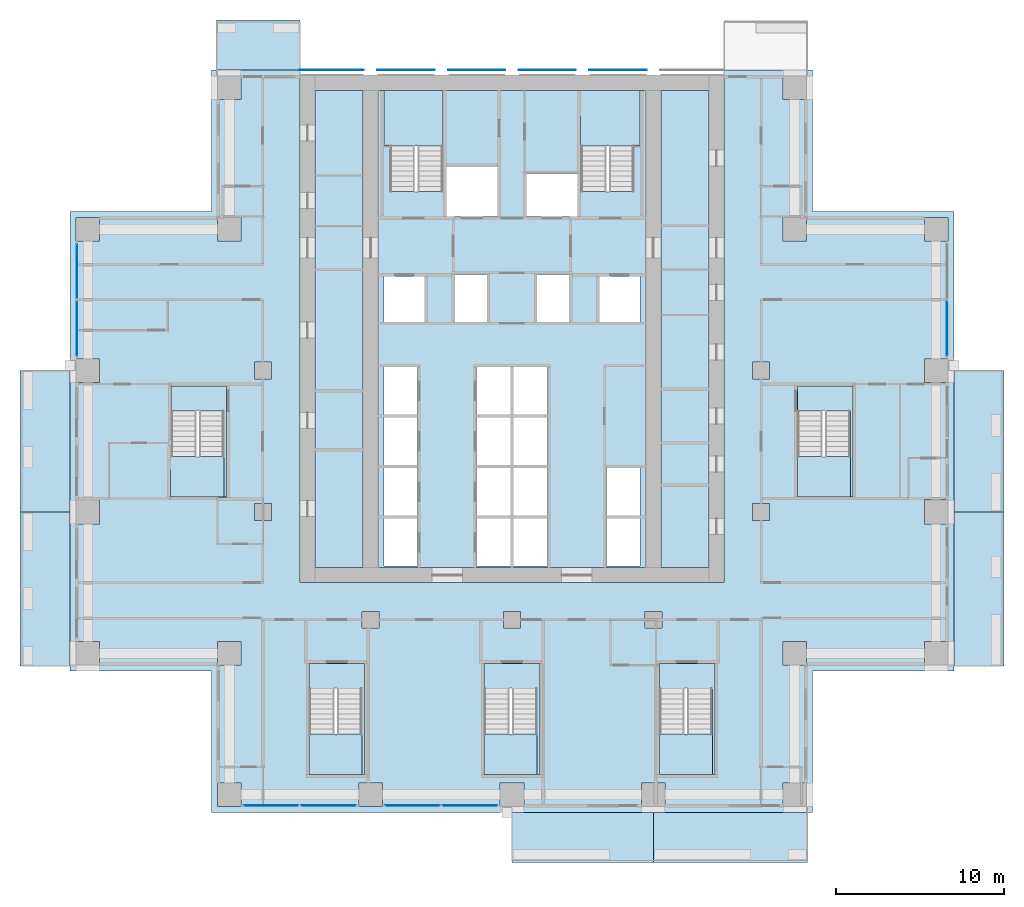
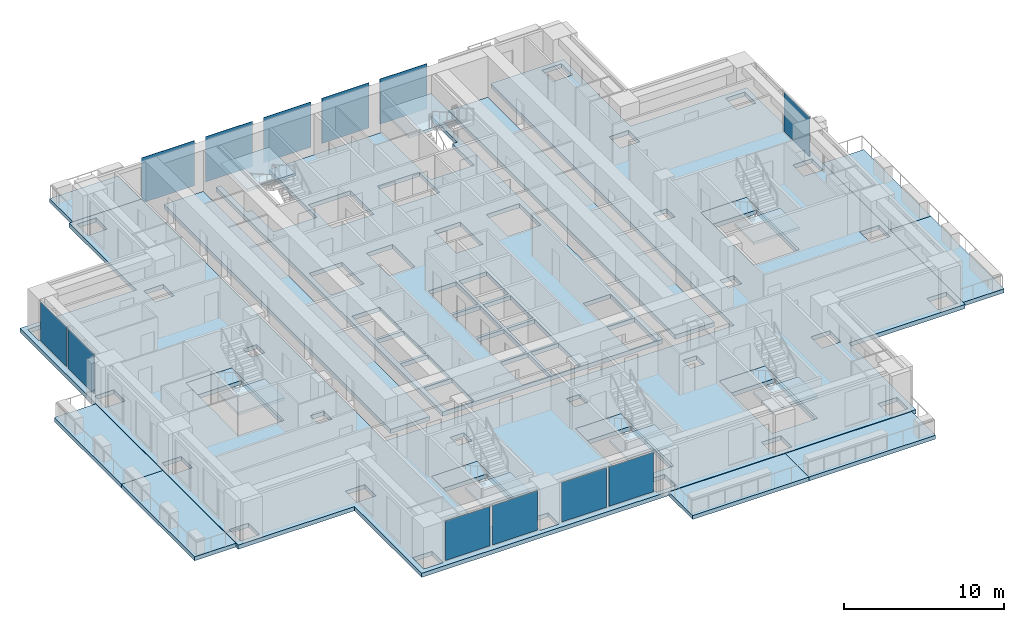
# One storey, part 7 of 17: 23 slabs, 12 plates, 11 elements without a shape of their own.
"""IFC4 building model written with IfcOpenShell, lengths in metres."""

from ifc_helpers import new_model, si_unit, direction, frame, origin, origin_2d, place, context, subcontext, project, spatial, polyline, rectangle, outline, extrude, material, layer, layer_set, type_object, element, aggregate, save


model = new_model("IFC4")

# Units and contexts
model_context = context("Model", 3, precision=1e-05, world=origin(), true_north=direction((0.0, 1.0)))
body_context = subcontext(model_context, "Body", "Model", "MODEL_VIEW")
ifc_project = project(units=[si_unit("LENGTHUNIT", "METRE"), si_unit("AREAUNIT", "SQUARE_METRE"), si_unit("VOLUMEUNIT", "CUBIC_METRE"), si_unit("PLANEANGLEUNIT", "RADIAN"), si_unit("MASSUNIT", "GRAM", prefix="KILO")], contexts=[model_context])

# Site, building, storey
site_placement = place(None, origin())
site = spatial("IfcSite", under=ifc_project, at=site_placement, CompositionType="ELEMENT")
building_placement = place(site_placement, origin())
building = spatial("IfcBuilding", under=site, at=building_placement, Name="Vermilion Ogive Tower", CompositionType="ELEMENT")
storey_placement = place(building_placement, frame((0.0, 0.0, 51.75)))
storey = spatial("IfcBuildingStorey", under=building, at=storey_placement, Name="L11", CompositionType="ELEMENT", Elevation=51.75)

# Slabs
ifc_material_1 = material(Name="Concrete B40", Category="concrete")
ifc_layer_1 = layer(ifc_material_1, 0.300048828125)
ifc_layer_set_1 = layer_set([ifc_layer_1], Name="Balcony slab")
slab_type_1 = type_object("IfcSlabType", Name="Balcony slab", PredefinedType="FLOOR", material=ifc_layer_set_1)
slab_1_placement = place(storey_placement, frame((0.0, 0.0, -0.340087890625)))
element("IfcSlab", 1, at=slab_1_placement, inside=storey, type_object=slab_type_1, Name="Balcony slab S03", PredefinedType="FLOOR", context=body_context, shape_type="SweptSolid", body=[
    extrude(outline(polyline([(0.0, -25.030029296875), (8.39990234375, -25.030029296875), (8.39990234375, -22.050048828125), (0.0, -22.050048828125), (0.0, -25.030029296875)])), origin(), (0.0, 0.0, 1.0), 0.300048828125),
])
slab_2_placement = place(storey_placement, frame((0.0, 0.0, -0.340087890625)))
element("IfcSlab", 2, at=slab_2_placement, inside=storey, type_object=slab_type_1, Name="Balcony slab S04", PredefinedType="FLOOR", context=body_context, shape_type="SweptSolid", body=[
    extrude(outline(polyline([(8.39990234375, -25.030029296875), (17.550048828125, -25.030029296875), (17.550048828125, -22.050048828125), (8.39990234375, -22.050048828125), (8.39990234375, -25.030029296875)])), origin(), (0.0, 0.0, 1.0), 0.300048828125),
])
slab_3_placement = place(storey_placement, frame((0.0, 0.0, -0.340087890625)))
element("IfcSlab", 3, at=slab_3_placement, inside=storey, type_object=slab_type_1, Name="Balcony slab E01", PredefinedType="FLOOR", context=body_context, shape_type="SweptSolid", body=[
    extrude(outline(polyline([(29.22998046875, -13.35009765625), (29.22998046875, -4.199951171875), (26.25, -4.199951171875), (26.25, -13.35009765625), (29.22998046875, -13.35009765625)])), origin(), (0.0, 0.0, 1.0), 0.300048828125),
])
slab_4_placement = place(storey_placement, frame((0.0, 0.0, -0.340087890625)))
element("IfcSlab", 4, at=slab_4_placement, inside=storey, type_object=slab_type_1, Name="Balcony slab E02", PredefinedType="FLOOR", context=body_context, shape_type="SweptSolid", body=[
    extrude(outline(polyline([(29.22998046875, -4.199951171875), (29.22998046875, 4.199951171875), (26.25, 4.199951171875), (26.25, -4.199951171875), (29.22998046875, -4.199951171875)])), origin(), (0.0, 0.0, 1.0), 0.300048828125),
])
slab_5_placement = place(storey_placement, frame((0.0, 0.0, -0.340087890625)))
element("IfcSlab", 5, at=slab_5_placement, inside=storey, type_object=slab_type_1, Name="Balcony slab N201", PredefinedType="FLOOR", context=body_context, shape_type="SweptSolid", body=[
    extrude(outline(polyline([(-12.60009765625, 25.030029296875), (-17.550048828125, 25.030029296875), (-17.550048828125, 22.050048828125), (-12.60009765625, 22.050048828125), (-12.60009765625, 25.030029296875)])), origin(), (0.0, 0.0, 1.0), 0.300048828125),
])
slab_6_placement = place(storey_placement, frame((0.0, 0.0, -0.340087890625)))
element("IfcSlab", 6, at=slab_6_placement, inside=storey, type_object=slab_type_1, Name="Balcony slab W02", PredefinedType="FLOOR", context=body_context, shape_type="SweptSolid", body=[
    extrude(outline(polyline([(-29.22998046875, 4.199951171875), (-29.22998046875, -4.199951171875), (-26.25, -4.199951171875), (-26.25, 4.199951171875), (-29.22998046875, 4.199951171875)])), origin(), (0.0, 0.0, 1.0), 0.300048828125),
])
slab_7_placement = place(storey_placement, frame((0.0, 0.0, -0.340087890625)))
element("IfcSlab", 7, at=slab_7_placement, inside=storey, type_object=slab_type_1, Name="Balcony slab W03", PredefinedType="FLOOR", context=body_context, shape_type="SweptSolid", body=[
    extrude(outline(polyline([(-29.22998046875, -4.199951171875), (-29.22998046875, -13.35009765625), (-26.25, -13.35009765625), (-26.25, -4.199951171875), (-29.22998046875, -4.199951171875)])), origin(), (0.0, 0.0, 1.0), 0.300048828125),
])

# Curtain wall, plates
ifc_material_2 = material(Name="Low-iron laminated glazing in aluminium frame", Category="aluminium")
curtain_wall_type = type_object("IfcCurtainWallType", Name="Curtain wall CW7", PredefinedType="NOTDEFINED", material=ifc_material_2)
curtain_wall_1_placement = place(storey_placement, origin())
curtain_wall_1 = element("IfcCurtainWall", 8, at=curtain_wall_1_placement, inside=storey, type_object=curtain_wall_type, Name="Glazed skin S1", PredefinedType="NOTDEFINED")
ifc_material_3 = material(Name="Low-iron laminated glazing in aluminium frame", Category="aluminium")
ifc_layer_2 = layer(ifc_material_3, 0.031982421875)
ifc_layer_set_2 = layer_set([ifc_layer_2], Name="CW7 glazing panel 32")
plate_type_1 = type_object("IfcPlateType", Name="CW7 glazing panel 32", PredefinedType="CURTAIN_PANEL", material=ifc_layer_set_2)
plate_1_placement = place(storey_placement, frame((-14.304931640625, -21.64990234375, 0.06005859375), z_axis=(0.0, 0.0, 1.0), x_axis=(1.0, 0.0, 0.0)))
plate_1 = element("IfcPlate", 9, at=plate_1_placement, type_object=plate_type_1, Name="CW7-S1 panel 1.1", PredefinedType="CURTAIN_PANEL", context=body_context, shape_type="SweptSolid", body=[
    extrude(rectangle(XDim=3.22998046875, YDim=0.031982421875, at=origin_2d()), origin(), (0.0, 0.0, 1.0), 3.010009765625),
])
plate_2_placement = place(storey_placement, frame((-10.89501953125, -21.64990234375, 0.06005859375), z_axis=(0.0, 0.0, 1.0), x_axis=(1.0, 0.0, 0.0)))
plate_2 = element("IfcPlate", 10, at=plate_2_placement, type_object=plate_type_1, Name="CW7-S1 panel 2.1", PredefinedType="CURTAIN_PANEL", context=body_context, shape_type="SweptSolid", body=[
    extrude(rectangle(XDim=3.22998046875, YDim=0.031982421875, at=origin_2d()), origin(), (0.0, 0.0, 1.0), 3.010009765625),
])
aggregate(curtain_wall_1, [plate_1, plate_2])

curtain_wall_2_placement = place(storey_placement, origin())
curtain_wall_2 = element("IfcCurtainWall", 11, at=curtain_wall_2_placement, inside=storey, type_object=curtain_wall_type, Name="Glazed skin S2", PredefinedType="NOTDEFINED")
plate_3_placement = place(storey_placement, frame((-5.905029296875, -21.64990234375, 0.06005859375), z_axis=(0.0, 0.0, 1.0), x_axis=(1.0, 0.0, 0.0)))
plate_3 = element("IfcPlate", 12, at=plate_3_placement, type_object=plate_type_1, Name="CW7-S2 panel 1.1", PredefinedType="CURTAIN_PANEL", context=body_context, shape_type="SweptSolid", body=[
    extrude(rectangle(XDim=3.22998046875, YDim=0.031982421875, at=origin_2d()), origin(), (0.0, 0.0, 1.0), 3.010009765625),
])
plate_4_placement = place(storey_placement, frame((-2.4951171875, -21.64990234375, 0.06005859375), z_axis=(0.0, 0.0, 1.0), x_axis=(1.0, 0.0, 0.0)))
plate_4 = element("IfcPlate", 13, at=plate_4_placement, type_object=plate_type_1, Name="CW7-S2 panel 2.1", PredefinedType="CURTAIN_PANEL", context=body_context, shape_type="SweptSolid", body=[
    extrude(rectangle(XDim=3.22998046875, YDim=0.031982421875, at=origin_2d()), origin(), (0.0, 0.0, 1.0), 3.010009765625),
])
aggregate(curtain_wall_2, [plate_3, plate_4])

# Curtain wall, plate
curtain_wall_3_placement = place(storey_placement, origin())
curtain_wall_3 = element("IfcCurtainWall", 14, at=curtain_wall_3_placement, inside=storey, type_object=curtain_wall_type, Name="Glazed skin E3", PredefinedType="NOTDEFINED")
plate_5_placement = place(storey_placement, frame((25.85009765625, 6.695068359375, 0.06005859375), z_axis=(0.0, 0.0, 1.0), x_axis=(0.0, 1.0, 0.0)))
plate_5 = element("IfcPlate", 15, at=plate_5_placement, type_object=plate_type_1, Name="CW7-E3 panel 1.1", PredefinedType="CURTAIN_PANEL", context=body_context, shape_type="SweptSolid", body=[
    extrude(rectangle(XDim=3.22998046875, YDim=0.031982421875, at=origin_2d()), origin(), (0.0, 0.0, 1.0), 3.010009765625),
])
aggregate(curtain_wall_3, [plate_5])

# Curtain wall, plates
curtain_wall_4_placement = place(storey_placement, origin())
curtain_wall_4 = element("IfcCurtainWall", 16, at=curtain_wall_4_placement, inside=storey, type_object=curtain_wall_type, Name="Glazed skin W1", PredefinedType="NOTDEFINED")
plate_6_placement = place(storey_placement, frame((-25.85009765625, 10.10498046875, 0.06005859375), z_axis=(0.0, 0.0, 1.0), x_axis=(0.0, -1.0, 0.0)))
plate_6 = element("IfcPlate", 17, at=plate_6_placement, type_object=plate_type_1, Name="CW7-W1 panel 1.1", PredefinedType="CURTAIN_PANEL", context=body_context, shape_type="SweptSolid", body=[
    extrude(rectangle(XDim=3.22998046875, YDim=0.031982421875, at=origin_2d()), origin(), (0.0, 0.0, 1.0), 3.010009765625),
])
plate_7_placement = place(storey_placement, frame((-25.85009765625, 6.695068359375, 0.06005859375), z_axis=(0.0, 0.0, 1.0), x_axis=(0.0, -1.0, 0.0)))
plate_7 = element("IfcPlate", 18, at=plate_7_placement, type_object=plate_type_1, Name="CW7-W1 panel 2.1", PredefinedType="CURTAIN_PANEL", context=body_context, shape_type="SweptSolid", body=[
    extrude(rectangle(XDim=3.22998046875, YDim=0.031982421875, at=origin_2d()), origin(), (0.0, 0.0, 1.0), 3.010009765625),
])
aggregate(curtain_wall_4, [plate_6, plate_7])

# Slabs
ifc_material_4 = material(Name="Concrete B40", Category="concrete")
ifc_layer_3 = layer(ifc_material_4, 0.320068359375)
ifc_layer_set_3 = layer_set([ifc_layer_3], Name="Core floor slab 320 B40")
slab_type_2 = type_object("IfcSlabType", Name="Core floor slab 320 B40", PredefinedType="FLOOR", material=ifc_layer_set_3)
slab_8_placement = place(storey_placement, frame((0.0, 0.0, -0.320068359375)))
element("IfcSlab", 19, at=slab_8_placement, inside=storey, type_object=slab_type_2, Name="L11-CK-FS1", PredefinedType="FLOOR", context=body_context, shape_type="SweptSolid", body=[
    extrude(outline(polyline([(-8.85400390625, -7.49609375), (-11.696044921875, -7.49609375), (-11.696044921875, 20.845947265625), (-8.85400390625, 20.845947265625), (-8.85400390625, -7.49609375)])), origin(), (0.0, 0.0, 1.0), 0.320068359375),
])
slab_9_placement = place(storey_placement, frame((0.0, 0.0, -0.320068359375)))
element("IfcSlab", 20, at=slab_9_placement, inside=storey, type_object=slab_type_2, Name="L11-CK-FS2", PredefinedType="FLOOR", context=body_context, shape_type="SweptSolid", body=[
    extrude(outline(polyline([(5.75, 14.85009765625), (5.60009765625, 14.85009765625), (5.60009765625, 14.85205078125), (4.10009765625, 14.85205078125), (4.10009765625, 17.550048828125), (4.074951171875, 17.550048828125), (4.074951171875, 20.845947265625), (-4.10009765625, 20.845947265625), (-4.10009765625, 14.85205078125), (-5.60009765625, 14.85205078125), (-5.60009765625, 14.85009765625), (-5.75, 14.85009765625), (-5.75, 14.85205078125), (-7.25, 14.85205078125), (-7.25, 17.550048828125), (-7.60009765625, 17.550048828125), (-7.60009765625, 20.845947265625), (-7.946044921875, 20.845947265625), (-7.946044921875, -7.49609375), (7.946044921875, -7.49609375), (7.946044921875, 20.845947265625), (7.60009765625, 20.845947265625), (7.60009765625, 17.550048828125), (7.25, 17.550048828125), (7.25, 14.85205078125), (5.75, 14.85205078125), (5.75, 14.85009765625)]), holes=[polyline([(-7.60009765625, -4.60009765625), (-5.60009765625, -4.60009765625), (-5.60009765625, -7.39990234375), (-7.60009765625, -7.39990234375), (-7.60009765625, -4.60009765625)]), polyline([(-2.10009765625, -4.60009765625), (-0.10009765625, -4.60009765625), (-0.10009765625, -7.39990234375), (-2.10009765625, -7.39990234375), (-2.10009765625, -4.60009765625)]), polyline([(-7.60009765625, -4.39990234375), (-7.60009765625, -1.60009765625), (-5.60009765625, -1.60009765625), (-5.60009765625, -4.39990234375), (-7.60009765625, -4.39990234375)]), polyline([(-2.10009765625, -1.60009765625), (-0.10009765625, -1.60009765625), (-0.10009765625, -4.39990234375), (-2.10009765625, -4.39990234375), (-2.10009765625, -1.60009765625)]), polyline([(-7.60009765625, -1.39990234375), (-7.60009765625, 1.39990234375), (-5.60009765625, 1.39990234375), (-5.60009765625, -1.39990234375), (-7.60009765625, -1.39990234375)]), polyline([(-2.10009765625, 1.39990234375), (-0.10009765625, 1.39990234375), (-0.10009765625, -1.39990234375), (-2.10009765625, -1.39990234375), (-2.10009765625, 1.39990234375)]), polyline([(-7.60009765625, 4.39990234375), (-5.60009765625, 4.39990234375), (-5.60009765625, 1.60009765625), (-7.60009765625, 1.60009765625), (-7.60009765625, 4.39990234375)]), polyline([(-2.10009765625, 4.39990234375), (-0.10009765625, 4.39990234375), (-0.10009765625, 1.60009765625), (-2.10009765625, 1.60009765625), (-2.10009765625, 4.39990234375)]), polyline([(-7.60009765625, 9.800048828125), (-5.199951171875, 9.800048828125), (-5.199951171875, 7.10009765625), (-7.60009765625, 7.10009765625), (-7.60009765625, 9.800048828125)]), polyline([(-3.39990234375, 9.89990234375), (-1.5, 9.89990234375), (-1.5, 7.10009765625), (-3.39990234375, 7.10009765625), (-3.39990234375, 9.89990234375)]), polyline([(-3.89990234375, 16.300048828125), (-0.85009765625, 16.300048828125), (-0.85009765625, 13.35009765625), (-3.89990234375, 13.35009765625), (-3.89990234375, 16.300048828125)]), polyline([(0.10009765625, -4.60009765625), (2.10009765625, -4.60009765625), (2.10009765625, -7.39990234375), (0.10009765625, -7.39990234375), (0.10009765625, -4.60009765625)]), polyline([(5.60009765625, -4.60009765625), (7.60009765625, -4.60009765625), (7.60009765625, -7.39990234375), (5.60009765625, -7.39990234375), (5.60009765625, -4.60009765625)]), polyline([(0.10009765625, -1.60009765625), (2.10009765625, -1.60009765625), (2.10009765625, -4.39990234375), (0.10009765625, -4.39990234375), (0.10009765625, -1.60009765625)]), polyline([(5.60009765625, -1.60009765625), (7.60009765625, -1.60009765625), (7.60009765625, -4.39990234375), (5.60009765625, -4.39990234375), (5.60009765625, -1.60009765625)]), polyline([(0.10009765625, 1.39990234375), (2.10009765625, 1.39990234375), (2.10009765625, -1.39990234375), (0.10009765625, -1.39990234375), (0.10009765625, 1.39990234375)]), polyline([(0.10009765625, 4.39990234375), (2.10009765625, 4.39990234375), (2.10009765625, 1.60009765625), (0.10009765625, 1.60009765625), (0.10009765625, 4.39990234375)]), polyline([(5.199951171875, 9.800048828125), (7.60009765625, 9.800048828125), (7.60009765625, 7.10009765625), (5.199951171875, 7.10009765625), (5.199951171875, 9.800048828125)]), polyline([(1.5, 9.89990234375), (3.39990234375, 9.89990234375), (3.39990234375, 7.10009765625), (1.5, 7.10009765625), (1.5, 9.89990234375)]), polyline([(0.85009765625, 15.89990234375), (3.89990234375, 15.89990234375), (3.89990234375, 13.35009765625), (0.85009765625, 13.35009765625), (0.85009765625, 15.89990234375)])]), origin(), (0.0, 0.0, 1.0), 0.320068359375),
])
slab_10_placement = place(storey_placement, frame((0.0, 0.0, -0.320068359375)))
element("IfcSlab", 21, at=slab_10_placement, inside=storey, type_object=slab_type_2, Name="L11-CK-FS3", PredefinedType="FLOOR", context=body_context, shape_type="SweptSolid", body=[
    extrude(outline(polyline([(8.85400390625, 20.845947265625), (11.696044921875, 20.845947265625), (11.696044921875, -7.49609375), (8.85400390625, -7.49609375), (8.85400390625, 20.845947265625)])), origin(), (0.0, 0.0, 1.0), 0.320068359375),
])
slab_11_placement = place(storey_placement, frame((0.0, 0.0, -0.320068359375)))
element("IfcSlab", 22, at=slab_11_placement, inside=storey, type_object=slab_type_2, Name="L11-SF-ST3-1", PredefinedType="FLOOR", context=body_context, shape_type="SweptSolid", body=[
    extrude(outline(polyline([(-12.050048828125, -13.199951171875), (-12.050048828125, -14.701904296875), (-10.550048828125, -14.701904296875), (-10.550048828125, -14.699951171875), (-10.39990234375, -14.699951171875), (-10.39990234375, -14.701904296875), (-8.89990234375, -14.701904296875), (-8.89990234375, -19.800048828125), (-8.75, -19.800048828125), (-8.75, -13.199951171875), (-12.050048828125, -13.199951171875)])), origin(), (0.0, 0.0, 1.0), 0.320068359375),
])
slab_12_placement = place(storey_placement, frame((0.0, 0.0, -0.320068359375)))
element("IfcSlab", 23, at=slab_12_placement, inside=storey, type_object=slab_type_2, Name="L11-SF-ST4-1", PredefinedType="FLOOR", context=body_context, shape_type="SweptSolid", body=[
    extrude(outline(polyline([(-1.64990234375, -13.199951171875), (-1.64990234375, -14.701904296875), (-0.14990234375, -14.701904296875), (-0.14990234375, -14.699951171875), (0.0, -14.699951171875), (0.0, -14.701904296875), (1.5, -14.701904296875), (1.5, -19.800048828125), (1.64990234375, -19.800048828125), (1.64990234375, -13.199951171875), (-1.64990234375, -13.199951171875)])), origin(), (0.0, 0.0, 1.0), 0.320068359375),
])
slab_13_placement = place(storey_placement, frame((0.0, 0.0, -0.320068359375)))
element("IfcSlab", 24, at=slab_13_placement, inside=storey, type_object=slab_type_2, Name="L11-SF-ST5-1", PredefinedType="FLOOR", context=body_context, shape_type="SweptSolid", body=[
    extrude(outline(polyline([(8.75, -13.199951171875), (8.75, -14.701904296875), (10.25, -14.701904296875), (10.25, -14.699951171875), (10.39990234375, -14.699951171875), (10.39990234375, -14.701904296875), (11.89990234375, -14.701904296875), (11.89990234375, -19.800048828125), (12.050048828125, -19.800048828125), (12.050048828125, -13.199951171875), (8.75, -13.199951171875)])), origin(), (0.0, 0.0, 1.0), 0.320068359375),
])
slab_14_placement = place(storey_placement, frame((0.0, 0.0, -0.320068359375)))
element("IfcSlab", 25, at=slab_14_placement, inside=storey, type_object=slab_type_2, Name="L11-SF-ST8-1", PredefinedType="FLOOR", context=body_context, shape_type="SweptSolid", body=[
    extrude(outline(polyline([(16.949951171875, 3.300048828125), (16.949951171875, 1.798095703125), (18.449951171875, 1.798095703125), (18.449951171875, 1.800048828125), (18.60009765625, 1.800048828125), (18.60009765625, 1.798095703125), (20.10009765625, 1.798095703125), (20.10009765625, -3.300048828125), (20.25, -3.300048828125), (20.25, 3.300048828125), (16.949951171875, 3.300048828125)])), origin(), (0.0, 0.0, 1.0), 0.320068359375),
])
slab_15_placement = place(storey_placement, frame((0.0, 0.0, -0.320068359375)))
element("IfcSlab", 26, at=slab_15_placement, inside=storey, type_object=slab_type_2, Name="L11-SF-ST9-1", PredefinedType="FLOOR", context=body_context, shape_type="SweptSolid", body=[
    extrude(outline(polyline([(-20.25, 3.300048828125), (-20.25, 1.798095703125), (-18.75, 1.798095703125), (-18.75, 1.800048828125), (-18.60009765625, 1.800048828125), (-18.60009765625, 1.798095703125), (-17.10009765625, 1.798095703125), (-17.10009765625, -3.300048828125), (-16.949951171875, -3.300048828125), (-16.949951171875, 3.300048828125), (-20.25, 3.300048828125)])), origin(), (0.0, 0.0, 1.0), 0.320068359375),
])

# Plates
ifc_material_5 = material(Name="Low-iron laminated glazing in aluminium frame", Category="aluminium")
ifc_layer_4 = layer(ifc_material_5, 0.031982421875)
ifc_layer_set_4 = layer_set([ifc_layer_4], Name="Glazed rainscreen sheet 32")
plate_type_2 = type_object("IfcPlateType", Name="Glazed rainscreen sheet 32", PredefinedType="SHEET", material=ifc_layer_set_4)
plate_8_placement = place(storey_placement, frame((-10.7099609375, 22.06591796875, -0.31982421875), z_axis=(0.0, 0.0, 1.0), x_axis=(1.0, 0.0, 0.0)))
element("IfcPlate", 27, at=plate_8_placement, inside=storey, type_object=plate_type_2, Name="Glazed rainscreen sheet N1", PredefinedType="SHEET", context=body_context, shape_type="SweptSolid", body=[
    extrude(rectangle(XDim=3.820068359375, YDim=0.031982421875, at=origin_2d()), origin(), (0.0, 0.0, 1.0), 3.449951171875),
])
for number, where, z_axis, x_axis, name in (
    (28, (-6.300048828125, 22.06591796875, -0.31982421875), (0.0, 0.0, 1.0), (1.0, 0.0, 0.0), "Glazed rainscreen sheet N2"),
    (29, (-2.10009765625, 22.06591796875, -0.31982421875), (0.0, 0.0, 1.0), (1.0, 0.0, 0.0), "Glazed rainscreen sheet N3"),
    (30, (2.10009765625, 22.06591796875, -0.31982421875), (0.0, 0.0, 1.0), (1.0, 0.0, 0.0), "Glazed rainscreen sheet N4"),
    (31, (6.300048828125, 22.06591796875, -0.31982421875), (0.0, 0.0, 1.0), (1.0, 0.0, 0.0), "Glazed rainscreen sheet N5"),
):
    element("IfcPlate", number, at=place(storey_placement, frame(where, z_axis=z_axis, x_axis=x_axis)), inside=storey, type_object=plate_type_2, Name=name, PredefinedType="SHEET", context=body_context, shape_type="SweptSolid", body=[
        extrude(rectangle(XDim=3.39990234375, YDim=0.031982421875, at=origin_2d()), origin(), (0.0, 0.0, 1.0), 3.449951171875),
    ])

# Slab
ifc_material_6 = material(Name="Concrete B45", Category="concrete")
ifc_layer_5 = layer(ifc_material_6, 0.320068359375)
ifc_layer_set_5 = layer_set([ifc_layer_5], Name="Post-tensioned flat plate 320 B45")
slab_type_3 = type_object("IfcSlabType", Name="Post-tensioned flat plate 320 B45", PredefinedType="FLOOR", material=ifc_layer_set_5)
slab_16_placement = place(storey_placement, frame((0.0, 0.0, -0.320068359375)))
element("IfcSlab", 32, at=slab_16_placement, inside=storey, type_object=slab_type_3, Name="L11-SL-1", PredefinedType="FLOOR", context=body_context, shape_type="SweptSolid", body=[
    extrude(outline(polyline([(-26.25, -13.64990234375), (-17.85009765625, -13.64990234375), (-17.85009765625, -22.050048828125), (17.85009765625, -22.050048828125), (17.85009765625, -13.64990234375), (26.25, -13.64990234375), (26.25, 13.64990234375), (17.85009765625, 13.64990234375), (17.85009765625, 22.050048828125), (12.60009765625, 22.050048828125), (12.60009765625, -8.39990234375), (-12.60009765625, -8.39990234375), (-12.60009765625, 22.050048828125), (-17.85009765625, 22.050048828125), (-17.85009765625, 13.64990234375), (-26.25, 13.64990234375), (-26.25, -13.64990234375)]), holes=[polyline([(25.89990234375, -3.5), (25.89990234375, -4.89990234375), (24.5, -4.89990234375), (24.5, -3.5), (25.89990234375, -3.5)]), polyline([(25.89990234375, -11.89990234375), (25.89990234375, -13.300048828125), (24.5, -13.300048828125), (24.5, -11.89990234375), (25.89990234375, -11.89990234375)]), polyline([(25.89990234375, 11.89990234375), (24.5, 11.89990234375), (24.5, 13.300048828125), (25.89990234375, 13.300048828125), (25.89990234375, 11.89990234375)]), polyline([(25.89990234375, 3.5), (24.5, 3.5), (24.5, 4.89990234375), (25.89990234375, 4.89990234375), (25.89990234375, 3.5)]), polyline([(20.25, 3.300048828125), (20.25, -3.300048828125), (16.949951171875, -3.300048828125), (16.949951171875, 3.300048828125), (20.25, 3.300048828125)]), polyline([(17.5, -11.89990234375), (17.5, -13.300048828125), (16.10009765625, -13.300048828125), (16.10009765625, -11.89990234375), (17.5, -11.89990234375)]), polyline([(17.5, 20.300048828125), (16.10009765625, 20.300048828125), (16.10009765625, 21.699951171875), (17.5, 21.699951171875), (17.5, 20.300048828125)]), polyline([(17.5, -20.300048828125), (17.5, -21.699951171875), (16.10009765625, -21.699951171875), (16.10009765625, -20.300048828125), (17.5, -20.300048828125)]), polyline([(17.5, 13.300048828125), (17.5, 11.89990234375), (16.10009765625, 11.89990234375), (16.10009765625, 13.300048828125), (17.5, 13.300048828125)]), polyline([(15.300048828125, 4.699951171875), (15.300048828125, 3.699951171875), (14.300048828125, 3.699951171875), (14.300048828125, 4.699951171875), (15.300048828125, 4.699951171875)]), polyline([(15.300048828125, -4.699951171875), (14.300048828125, -4.699951171875), (14.300048828125, -3.699951171875), (15.300048828125, -3.699951171875), (15.300048828125, -4.699951171875)]), polyline([(12.050048828125, -13.199951171875), (12.050048828125, -19.800048828125), (8.75, -19.800048828125), (8.75, -13.199951171875), (12.050048828125, -13.199951171875)]), polyline([(9.10009765625, -20.300048828125), (9.10009765625, -21.699951171875), (7.699951171875, -21.699951171875), (7.699951171875, -20.300048828125), (9.10009765625, -20.300048828125)]), polyline([(8.89990234375, -11.10009765625), (7.89990234375, -11.10009765625), (7.89990234375, -10.10009765625), (8.89990234375, -10.10009765625), (8.89990234375, -11.10009765625)]), polyline([(1.64990234375, -13.199951171875), (1.64990234375, -19.800048828125), (-1.64990234375, -19.800048828125), (-1.64990234375, -13.199951171875), (1.64990234375, -13.199951171875)]), polyline([(0.699951171875, -20.300048828125), (0.699951171875, -21.699951171875), (-0.699951171875, -21.699951171875), (-0.699951171875, -20.300048828125), (0.699951171875, -20.300048828125)]), polyline([(0.5, -10.10009765625), (0.5, -11.10009765625), (-0.5, -11.10009765625), (-0.5, -10.10009765625), (0.5, -10.10009765625)]), polyline([(-7.699951171875, -20.300048828125), (-7.699951171875, -21.699951171875), (-9.10009765625, -21.699951171875), (-9.10009765625, -20.300048828125), (-7.699951171875, -20.300048828125)]), polyline([(-7.89990234375, -10.10009765625), (-7.89990234375, -11.10009765625), (-8.89990234375, -11.10009765625), (-8.89990234375, -10.10009765625), (-7.89990234375, -10.10009765625)]), polyline([(-8.75, -13.199951171875), (-8.75, -19.800048828125), (-12.050048828125, -19.800048828125), (-12.050048828125, -13.199951171875), (-8.75, -13.199951171875)]), polyline([(-14.300048828125, 4.699951171875), (-14.300048828125, 3.699951171875), (-15.300048828125, 3.699951171875), (-15.300048828125, 4.699951171875), (-14.300048828125, 4.699951171875)]), polyline([(-14.300048828125, -4.699951171875), (-15.300048828125, -4.699951171875), (-15.300048828125, -3.699951171875), (-14.300048828125, -3.699951171875), (-14.300048828125, -4.699951171875)]), polyline([(-16.10009765625, 13.300048828125), (-16.10009765625, 11.89990234375), (-17.5, 11.89990234375), (-17.5, 13.300048828125), (-16.10009765625, 13.300048828125)]), polyline([(-16.10009765625, -11.89990234375), (-16.10009765625, -13.300048828125), (-17.5, -13.300048828125), (-17.5, -11.89990234375), (-16.10009765625, -11.89990234375)]), polyline([(-16.10009765625, -20.300048828125), (-16.10009765625, -21.699951171875), (-17.5, -21.699951171875), (-17.5, -20.300048828125), (-16.10009765625, -20.300048828125)]), polyline([(-16.10009765625, 20.300048828125), (-17.5, 20.300048828125), (-17.5, 21.699951171875), (-16.10009765625, 21.699951171875), (-16.10009765625, 20.300048828125)]), polyline([(-16.949951171875, 3.300048828125), (-16.949951171875, -3.300048828125), (-20.25, -3.300048828125), (-20.25, -3.2998046875), (-20.275146484375, -3.2998046875), (-20.275146484375, -0.89990234375), (-20.25, -0.89990234375), (-20.25, 3.300048828125), (-16.949951171875, 3.300048828125)]), polyline([(-24.5, 3.5), (-25.89990234375, 3.5), (-25.89990234375, 4.89990234375), (-24.5, 4.89990234375), (-24.5, 3.5)]), polyline([(-24.5, 13.300048828125), (-24.5, 11.89990234375), (-25.89990234375, 11.89990234375), (-25.89990234375, 13.300048828125), (-24.5, 13.300048828125)]), polyline([(-24.5, -3.5), (-24.5, -4.89990234375), (-25.89990234375, -4.89990234375), (-25.89990234375, -3.5), (-24.5, -3.5)]), polyline([(-24.5, -11.89990234375), (-24.5, -13.300048828125), (-25.89990234375, -13.300048828125), (-25.89990234375, -11.89990234375), (-24.5, -11.89990234375)])]), origin(), (0.0, 0.0, 1.0), 0.320068359375),
])

# Stair, slab
ifc_material_7 = material(Name="Concrete B40", Category="concrete")
stair_type = type_object("IfcStairType", Name="Exit stair 1500", PredefinedType="HALF_TURN_STAIR", material=ifc_material_7)
stair_1_placement = place(storey_placement, origin())
stair_1 = element("IfcStair", 33, at=stair_1_placement, inside=storey, type_object=stair_type, Name="L11 Exit Stair ST1", PredefinedType="HALF_TURN_STAIR")
ifc_material_8 = material(Name="Concrete B40", Category="concrete")
ifc_layer_6 = layer(ifc_material_8, 0.199951171875)
ifc_layer_set_6 = layer_set([ifc_layer_6], Name="Stair landing 200")
slab_type_4 = type_object("IfcSlabType", Name="Stair landing 200", PredefinedType="LANDING", material=ifc_layer_set_6)
slab_17_placement = place(storey_placement, frame((0.0, 0.0, 1.52490234375)))
slab_17 = element("IfcSlab", 34, at=slab_17_placement, type_object=slab_type_4, Name="ST1 landing 1", PredefinedType="LANDING", context=body_context, shape_type="SweptSolid", body=[
    extrude(outline(polyline([(-7.60009765625, 17.550048828125), (-7.25, 17.550048828125), (-7.25, 17.548095703125), (-5.75, 17.548095703125), (-5.75, 17.550048828125), (-5.60009765625, 17.550048828125), (-5.60009765625, 17.548095703125), (-4.10009765625, 17.548095703125), (-4.10009765625, 20.85009765625), (-7.60009765625, 20.85009765625), (-7.60009765625, 17.550048828125)])), origin(), (0.0, 0.0, 1.0), 0.2001953125),
])
aggregate(stair_1, [slab_17])

stair_2_placement = place(storey_placement, origin())
stair_2 = element("IfcStair", 35, at=stair_2_placement, inside=storey, type_object=stair_type, Name="L11 Exit Stair ST2", PredefinedType="HALF_TURN_STAIR")
slab_18_placement = place(storey_placement, frame((0.0, 0.0, 1.52490234375)))
slab_18 = element("IfcSlab", 36, at=slab_18_placement, type_object=slab_type_4, Name="ST2 landing 1", PredefinedType="LANDING", context=body_context, shape_type="SweptSolid", body=[
    extrude(outline(polyline([(5.60009765625, 17.550048828125), (5.75, 17.550048828125), (5.75, 17.548095703125), (7.25, 17.548095703125), (7.25, 17.550048828125), (7.60009765625, 17.550048828125), (7.60009765625, 20.85009765625), (4.074951171875, 20.85009765625), (4.074951171875, 17.550048828125), (4.10009765625, 17.550048828125), (4.10009765625, 17.548095703125), (5.60009765625, 17.548095703125), (5.60009765625, 17.550048828125)])), origin(), (0.0, 0.0, 1.0), 0.2001953125),
])
aggregate(stair_2, [slab_18])

stair_3_placement = place(storey_placement, origin())
stair_3 = element("IfcStair", 37, at=stair_3_placement, inside=storey, type_object=stair_type, Name="L11 Exit Stair ST3", PredefinedType="HALF_TURN_STAIR")
slab_19_placement = place(storey_placement, frame((0.0, 0.0, 1.52490234375)))
slab_19 = element("IfcSlab", 38, at=slab_19_placement, type_object=slab_type_4, Name="ST3 landing 1", PredefinedType="LANDING", context=body_context, shape_type="SweptSolid", body=[
    extrude(outline(polyline([(-8.75, -17.39990234375), (-8.89990234375, -17.39990234375), (-8.89990234375, -17.39794921875), (-10.39990234375, -17.39794921875), (-10.39990234375, -17.39990234375), (-10.550048828125, -17.39990234375), (-10.550048828125, -17.39794921875), (-12.050048828125, -17.39794921875), (-12.050048828125, -17.402099609375), (-12.0498046875, -17.402099609375), (-12.0498046875, -19.7998046875), (-8.75, -19.7998046875), (-8.75, -17.39990234375)])), origin(), (0.0, 0.0, 1.0), 0.2001953125),
])
aggregate(stair_3, [slab_19])

stair_4_placement = place(storey_placement, origin())
stair_4 = element("IfcStair", 39, at=stair_4_placement, inside=storey, type_object=stair_type, Name="L11 Exit Stair ST4", PredefinedType="HALF_TURN_STAIR")
slab_20_placement = place(storey_placement, frame((0.0, 0.0, 1.52490234375)))
slab_20 = element("IfcSlab", 40, at=slab_20_placement, type_object=slab_type_4, Name="ST4 landing 1", PredefinedType="LANDING", context=body_context, shape_type="SweptSolid", body=[
    extrude(outline(polyline([(1.64990234375, -17.39990234375), (1.5, -17.39990234375), (1.5, -17.39794921875), (0.0, -17.39794921875), (0.0, -17.39990234375), (-0.14990234375, -17.39990234375), (-0.14990234375, -17.39794921875), (-1.64990234375, -17.39794921875), (-1.64990234375, -19.7998046875), (1.64990234375, -19.7998046875), (1.64990234375, -17.39990234375)])), origin(), (0.0, 0.0, 1.0), 0.2001953125),
])
aggregate(stair_4, [slab_20])

stair_5_placement = place(storey_placement, origin())
stair_5 = element("IfcStair", 41, at=stair_5_placement, inside=storey, type_object=stair_type, Name="L11 Exit Stair ST5", PredefinedType="HALF_TURN_STAIR")
slab_21_placement = place(storey_placement, frame((0.0, 0.0, 1.52490234375)))
slab_21 = element("IfcSlab", 42, at=slab_21_placement, type_object=slab_type_4, Name="ST5 landing 1", PredefinedType="LANDING", context=body_context, shape_type="SweptSolid", body=[
    extrude(outline(polyline([(12.0498046875, -17.39990234375), (11.89990234375, -17.39990234375), (11.89990234375, -17.39794921875), (10.39990234375, -17.39794921875), (10.39990234375, -17.39990234375), (10.25, -17.39990234375), (10.25, -17.39794921875), (8.75, -17.39794921875), (8.75, -17.39990234375), (8.75, -17.39990234375), (8.75, -19.7998046875), (12.0498046875, -19.7998046875), (12.0498046875, -17.39990234375)])), origin(), (0.0, 0.0, 1.0), 0.2001953125),
])
aggregate(stair_5, [slab_21])

stair_6_placement = place(storey_placement, origin())
stair_6 = element("IfcStair", 43, at=stair_6_placement, inside=storey, type_object=stair_type, Name="L11 Exit Stair ST8", PredefinedType="HALF_TURN_STAIR")
slab_22_placement = place(storey_placement, frame((0.0, 0.0, 1.52490234375)))
slab_22 = element("IfcSlab", 44, at=slab_22_placement, type_object=slab_type_4, Name="ST8 landing 1", PredefinedType="LANDING", context=body_context, shape_type="SweptSolid", body=[
    extrude(outline(polyline([(20.25, -0.89990234375), (20.10009765625, -0.89990234375), (20.10009765625, -0.89794921875), (18.60009765625, -0.89794921875), (18.60009765625, -0.89990234375), (18.449951171875, -0.89990234375), (18.449951171875, -0.89794921875), (16.949951171875, -0.89794921875), (16.949951171875, -0.902099609375), (16.9501953125, -0.902099609375), (16.9501953125, -3.2998046875), (20.25, -3.2998046875), (20.25, -0.89990234375)])), origin(), (0.0, 0.0, 1.0), 0.2001953125),
])
aggregate(stair_6, [slab_22])

stair_7_placement = place(storey_placement, origin())
stair_7 = element("IfcStair", 45, at=stair_7_placement, inside=storey, type_object=stair_type, Name="L11 Exit Stair ST9", PredefinedType="HALF_TURN_STAIR")
slab_23_placement = place(storey_placement, frame((0.0, 0.0, 1.52490234375)))
slab_23 = element("IfcSlab", 46, at=slab_23_placement, type_object=slab_type_4, Name="ST9 landing 1", PredefinedType="LANDING", context=body_context, shape_type="SweptSolid", body=[
    extrude(outline(polyline([(-16.9501953125, -0.89990234375), (-17.10009765625, -0.89990234375), (-17.10009765625, -0.89794921875), (-18.60009765625, -0.89794921875), (-18.60009765625, -0.89990234375), (-18.75, -0.89990234375), (-18.75, -0.89794921875), (-20.25, -0.89794921875), (-20.25, -0.89990234375), (-20.275146484375, -0.89990234375), (-20.275146484375, -3.2998046875), (-16.9501953125, -3.2998046875), (-16.9501953125, -0.89990234375)])), origin(), (0.0, 0.0, 1.0), 0.2001953125),
])
aggregate(stair_7, [slab_23])

save(model, "model.ifc")
